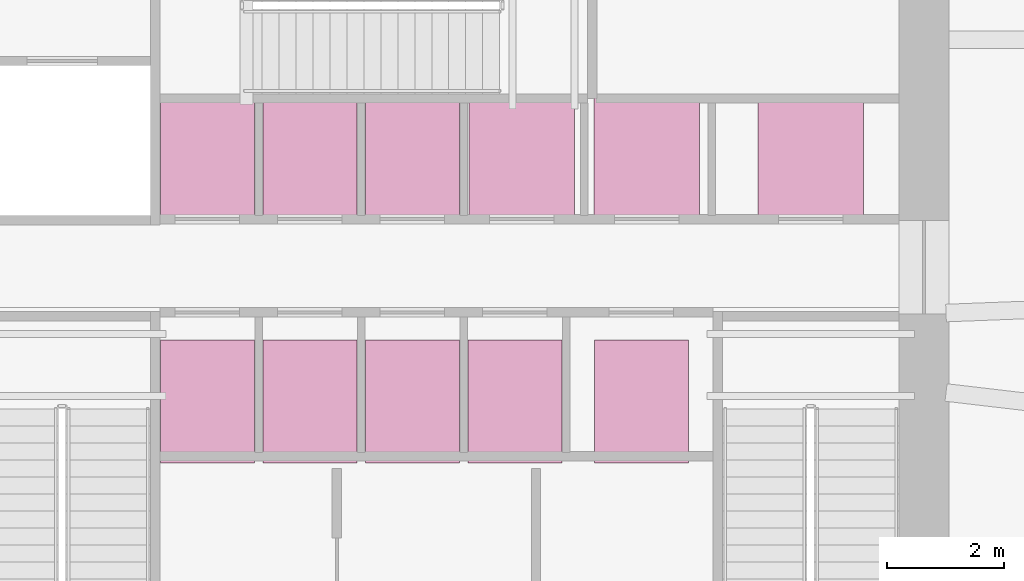
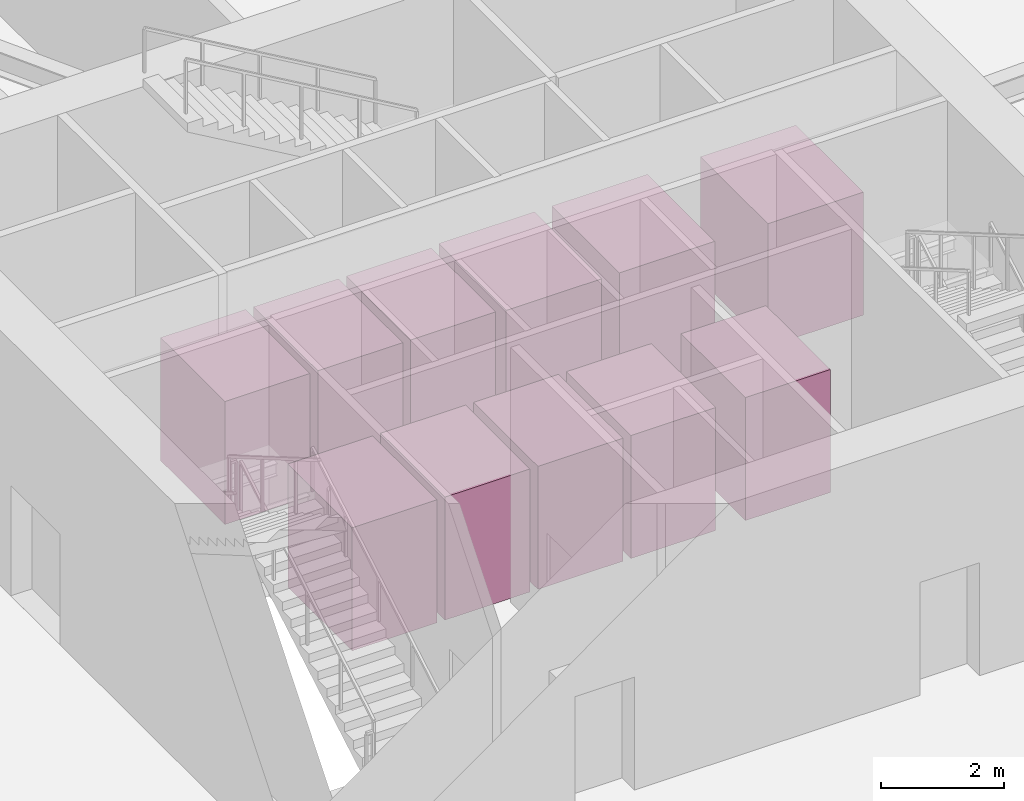
# One storey, part 22 of 22: 11 transport elements.
"""IFC4 building model written with IfcOpenShell, lengths in metres."""

import ifcopenshell
import ifcopenshell.guid

model = None  # the IFC model being written
_history = None  # IfcOwnerHistory: only IFC2X3 demands one
_inside = {}  # id of a spatial element -> (the spatial element, [elements in it])
_under = {}  # id of a project, library or spatial element -> (it, [spatial elements below it])
_declared = {}  # id of a project -> (the project, [libraries it declares])
_typed = {}  # id of a type object -> (the type object, [elements of that type])
_made_of = {}  # id of a material, layer set ... -> (it, [elements and type objects made of it])


def new_model(schema):
    """Start an empty IFC model of exactly this schema.

    Asked for "IFC4X3", IfcOpenShell would pick the latest addendum, in which some entities
    have other attributes; the version numbers below select the first issue.
    IFC2X3 requires an IfcOwnerHistory on every rooted entity: one is made here for all.
    """
    global model, _history
    if schema == "IFC4X3":
        model = ifcopenshell.file(schema_version=(4, 3, 0, 0))
    else:
        model = ifcopenshell.file(schema=schema)
    _inside.clear()
    _under.clear()
    _declared.clear()
    _typed.clear()
    _made_of.clear()
    _history = None
    if model.schema == "IFC2X3":
        org = make("IfcOrganization", Name="unknown")
        user = make(
            "IfcPersonAndOrganization",
            ThePerson=make("IfcPerson", FamilyName="unknown"),
            TheOrganization=org,
        )
        app = make(
            "IfcApplication",
            ApplicationDeveloper=org,
            Version="unknown",
            ApplicationFullName="unknown",
            ApplicationIdentifier="unknown",
        )
        _history = make(
            "IfcOwnerHistory",
            OwningUser=user,
            OwningApplication=app,
            ChangeAction="ADDED",
            CreationDate=0,
        )
    return model


def make(cls, **values):
    """One entity of the class cls with the attributes given. An attribute that is None is left unset."""
    return model.create_entity(
        cls, **{name: value for name, value in values.items() if value is not None}
    )


def rooted(cls, **values):
    """An entity with a GlobalId (a new one), such as an element, a storey or a relation."""
    return make(cls, GlobalId=ifcopenshell.guid.new(), OwnerHistory=_history, **values)


def si_unit(unit_type, name, prefix=None):
    """IfcSIUnit, for example si_unit("LENGTHUNIT", "METRE", prefix="MILLI")."""
    return make("IfcSIUnit", UnitType=unit_type, Prefix=prefix, Name=name)


def assignment(units):
    """IfcUnitAssignment: the units of a project."""
    return None if units is None else make("IfcUnitAssignment", Units=units)


def point(xyz):
    """IfcCartesianPoint."""
    return None if xyz is None else make("IfcCartesianPoint", Coordinates=xyz)


def direction(xyz):
    """IfcDirection."""
    return None if xyz is None else make("IfcDirection", DirectionRatios=xyz)


def frame(location, z_axis=None, x_axis=None):
    """IfcAxis2Placement3D, a coordinate frame: its origin and axes. An axis left out is left unset."""
    return make(
        "IfcAxis2Placement3D",
        Location=point(location),
        Axis=direction(z_axis),
        RefDirection=direction(x_axis),
    )


def frame_2d(location, x_axis=None):
    """IfcAxis2Placement2D, a coordinate frame in the plane: its origin and x axis."""
    return make(
        "IfcAxis2Placement2D", Location=point(location), RefDirection=direction(x_axis)
    )


def origin():
    """The frame at (0, 0, 0) with its axes left unset."""
    return frame((0.0, 0.0, 0.0))


def origin_2d():
    """The frame at (0, 0) in the plane with its x axis left unset."""
    return frame_2d((0.0, 0.0))


def place(relative_to, where):
    """IfcLocalPlacement: puts the frame where relative to a parent placement (None: the world)."""
    return make(
        "IfcLocalPlacement", PlacementRelTo=relative_to, RelativePlacement=where
    )


def context(
    kind, dimensions, precision=None, world=None, true_north=None, identifier=None
):
    """IfcGeometricRepresentationContext, for example the 3D "Model" context."""
    return make(
        "IfcGeometricRepresentationContext",
        ContextIdentifier=identifier,
        ContextType=kind,
        CoordinateSpaceDimension=dimensions,
        Precision=precision,
        WorldCoordinateSystem=world,
        TrueNorth=true_north,
    )


def subcontext(parent, identifier, kind, view, scale=None):
    """IfcGeometricRepresentationSubContext, for example "Body" below "Model"."""
    return make(
        "IfcGeometricRepresentationSubContext",
        ContextIdentifier=identifier,
        ContextType=kind,
        ParentContext=parent,
        TargetScale=scale,
        TargetView=view,
    )


def project(units=None, contexts=None):
    """IfcProject with its units and contexts."""
    return rooted(
        "IfcProject",
        Name="project",
        RepresentationContexts=contexts,
        UnitsInContext=assignment(units),
    )


def spatial(cls, under=None, at=None, **own):
    """A site, building, storey or space (cls), placed at a placement, below another one or the project."""
    s = rooted(cls, ObjectPlacement=at, **own)
    if under is not None:
        _under.setdefault(under.id(), (under, []))[1].append(s)
    return s


def profile(cls, at=None, kind="AREA", **sizes):
    """A parametric profile (cls). Its sizes go by their IFC names, for example OverallWidth=200.0."""
    return make(cls, ProfileType=kind, Position=at, **sizes)


def rectangle(**sizes):
    """IfcRectangleProfileDef."""
    return profile("IfcRectangleProfileDef", **sizes)


def extrude(swept, where, along, depth):
    """IfcExtrudedAreaSolid: the profile swept, set in the frame where, extruded along a direction by depth."""
    return make(
        "IfcExtrudedAreaSolid",
        SweptArea=swept,
        Position=where,
        ExtrudedDirection=direction(along),
        Depth=depth,
    )


def shape(context_of_items, identifier, shape_type, items):
    """IfcShapeRepresentation: the items that make up one representation, for example the "Body"."""
    return make(
        "IfcShapeRepresentation",
        ContextOfItems=context_of_items,
        RepresentationIdentifier=identifier,
        RepresentationType=shape_type,
        Items=items,
    )


def source(mapping_origin, context_of_items, identifier, shape_type, items):
    """IfcRepresentationMap: a shape defined once, which mapped items show again and again."""
    return make(
        "IfcRepresentationMap",
        MappingOrigin=mapping_origin,
        MappedRepresentation=shape(context_of_items, identifier, shape_type, items),
    )


def transform(
    local_origin,
    x_axis=None,
    y_axis=None,
    z_axis=None,
    scale=None,
    scale2=None,
    scale3=None,
    uniform=True,
):
    """IfcCartesianTransformationOperator3D, or its non-uniform kind. x_axis, y_axis, z_axis: its Axis1, 2, 3."""
    if uniform:
        return make(
            "IfcCartesianTransformationOperator3D",
            Axis1=direction(x_axis),
            Axis2=direction(y_axis),
            LocalOrigin=point(local_origin),
            Scale=scale,
            Axis3=direction(z_axis),
        )
    return make(
        "IfcCartesianTransformationOperator3DnonUniform",
        Axis1=direction(x_axis),
        Axis2=direction(y_axis),
        LocalOrigin=point(local_origin),
        Scale=scale,
        Axis3=direction(z_axis),
        Scale2=scale2,
        Scale3=scale3,
    )


def mapped(mapping_source, mapping_target):
    """IfcMappedItem: shows the shape of a source again, moved by a transform."""
    return make(
        "IfcMappedItem", MappingSource=mapping_source, MappingTarget=mapping_target
    )


def material(Name=None, Category=None):
    """IfcMaterial."""
    return make("IfcMaterial", Name=Name, Category=Category)


def made_of(thing, what):
    """Note that an element or type object is made of a material, layer set ...; save() writes the relation."""
    if what is not None:
        _made_of.setdefault(what.id(), (what, []))[1].append(thing)
    return thing


def type_object(cls, material=None, **own):
    """A type object (cls), such as IfcWallType, which elements share."""
    return made_of(rooted(cls, **own), material)


def element(
    cls,
    number,
    at=None,
    inside=None,
    cuts=None,
    type_object=None,
    material=None,
    context=None,
    identifier="Body",
    shape_type=None,
    held_by="IfcProductDefinitionShape",
    body=None,
    shapes=None,
    **own,
):
    """One element of the class cls, such as IfcWall. Its Tag is "e" and its number.

    at: its placement. inside: the storey or other place that contains it. cuts: it is an
    opening in that element (IfcRelVoidsElement). A single representation is given by context,
    identifier, shape_type and body (its items); several are given by shapes. held_by: the class
    of the entity that holds the representations. save() writes the other relations.
    """
    e = rooted(cls, Tag="e%d" % number, ObjectPlacement=at, **own)
    if body is not None:
        shapes = [shape(context, identifier, shape_type, body)]
    if shapes is not None:
        e.Representation = make(held_by, Representations=shapes)
    if inside is not None:
        _inside.setdefault(inside.id(), (inside, []))[1].append(e)
    if cuts is not None:
        rooted(
            "IfcRelVoidsElement", RelatingBuildingElement=cuts, RelatedOpeningElement=e
        )
    if type_object is not None:
        _typed.setdefault(type_object.id(), (type_object, []))[1].append(e)
    return made_of(e, material)


def aggregate(whole, parts):
    """IfcRelAggregates: a whole, such as a stair, and the parts it consists of."""
    return rooted("IfcRelAggregates", RelatingObject=whole, RelatedObjects=parts)


def save(model, path):
    """Write the relations noted so far, then the file.

    IfcRelAggregates (storeys below a building ...), IfcRelContainedInSpatialStructure (elements
    in a storey), IfcRelDefinesByType, IfcRelAssociatesMaterial and IfcRelDeclares: one each for
    every whole, place, type object, material and project.
    """
    for whole, parts in _under.values():
        aggregate(whole, parts)
    for where, things in _inside.values():
        rooted(
            "IfcRelContainedInSpatialStructure",
            RelatedElements=things,
            RelatingStructure=where,
        )
    for kind, things in _typed.values():
        rooted("IfcRelDefinesByType", RelatedObjects=things, RelatingType=kind)
    for what, things in _made_of.values():
        rooted("IfcRelAssociatesMaterial", RelatedObjects=things, RelatingMaterial=what)
    for by, libraries in _declared.values():
        rooted("IfcRelDeclares", RelatingContext=by, RelatedDefinitions=libraries)
    model.write(path)


model = new_model("IFC4")

# Units and contexts
model_context = context("Model", 3, precision=1e-05, world=origin(), true_north=direction((0.0, 1.0)))
body_context = subcontext(model_context, "Body", "Model", "MODEL_VIEW")
ifc_project = project(units=[si_unit("LENGTHUNIT", "METRE"), si_unit("AREAUNIT", "SQUARE_METRE"), si_unit("VOLUMEUNIT", "CUBIC_METRE"), si_unit("PLANEANGLEUNIT", "RADIAN"), si_unit("MASSUNIT", "GRAM", prefix="KILO")], contexts=[model_context])

# Site, building, storey
site_placement = place(None, origin())
site = spatial("IfcSite", under=ifc_project, at=site_placement, CompositionType="ELEMENT")
building_placement = place(site_placement, origin())
building = spatial("IfcBuilding", under=site, at=building_placement, Name="Olszyna Solenne Hotel", CompositionType="ELEMENT")
storey_placement = place(building_placement, origin())
storey = spatial("IfcBuildingStorey", under=building, at=storey_placement, Name="L00", CompositionType="ELEMENT", Elevation=0.0)

# Transport elements
ifc_material = material(Name="Steel S355J2", Category="steel")
transport_element_type_1 = type_object("IfcTransportElementType", Name="LFT-PL-LOW", PredefinedType="ELEVATOR", material=ifc_material)
shared_shape_1 = source(origin(), body_context, "Body", "SweptSolid", [
    extrude(rectangle(XDim=1.60009765625, YDim=2.10009765625, at=origin_2d()), origin(), (0.0, 0.0, 1.0), 2.449951171875),
])
for number, where, z_axis, x_axis, name in (
    (1, (34.090087890625, 25.429931640625, 0.0), (0.0, 0.0, 1.0), (1.0, 0.0, 0.0), "Passenger lift PL1"),
    (2, (35.840087890625, 25.429931640625, 0.0), (0.0, 0.0, 1.0), (1.0, 0.0, 0.0), "Passenger lift PL2"),
    (3, (37.590087890625, 25.429931640625, 0.0), (0.0, 0.0, 1.0), (1.0, 0.0, 0.0), "Passenger lift PL3"),
    (4, (39.340087890625, 25.429931640625, 0.0), (0.0, 0.0, 1.0), (1.0, 0.0, 0.0), "Passenger lift PL4"),
):
    element("IfcTransportElement", number, at=place(storey_placement, frame(where, z_axis=z_axis, x_axis=x_axis)), inside=storey, type_object=transport_element_type_1, Name=name, PredefinedType="ELEVATOR", context=body_context, shape_type="MappedRepresentation", body=[
        mapped(shared_shape_1, transform((0.0, 0.0, 0.0), x_axis=(1.0, 0.0, 0.0), y_axis=(0.0, 1.0, 0.0), z_axis=(0.0, 0.0, 1.0), scale=1.0)),
    ])
transport_element_type_2 = type_object("IfcTransportElementType", Name="LFT-PL-HIGH", PredefinedType="ELEVATOR", material=ifc_material)
for number, where, z_axis, x_axis, name in (
    (5, (41.5, 25.429931640625, 0.0), (0.0, 0.0, 1.0), (1.0, 0.0, 0.0), "Passenger lift PL5"),
    (6, (34.090087890625, 29.580078125, 0.0), (0.0, 0.0, 1.0), (1.0, 0.0, 0.0), "Passenger lift PL6"),
    (7, (35.840087890625, 29.580078125, 0.0), (0.0, 0.0, 1.0), (1.0, 0.0, 0.0), "Passenger lift PL7"),
    (8, (37.590087890625, 29.580078125, 0.0), (0.0, 0.0, 1.0), (1.0, 0.0, 0.0), "Passenger lift PL8"),
):
    element("IfcTransportElement", number, at=place(storey_placement, frame(where, z_axis=z_axis, x_axis=x_axis)), inside=storey, type_object=transport_element_type_2, Name=name, PredefinedType="ELEVATOR", context=body_context, shape_type="MappedRepresentation", body=[
        mapped(shared_shape_1, transform((0.0, 0.0, 0.0), x_axis=(1.0, 0.0, 0.0), y_axis=(0.0, 1.0, 0.0), z_axis=(0.0, 0.0, 1.0), scale=1.0)),
    ])
transport_element_type_3 = type_object("IfcTransportElementType", Name="LFT-EX-OBS", PredefinedType="ELEVATOR", material=ifc_material)
shared_shape_2 = source(origin(), body_context, "Body", "SweptSolid", [
    extrude(rectangle(XDim=1.800048828125, YDim=2.199951171875, at=origin_2d()), origin(), (0.0, 0.0, 1.0), 2.449951171875),
])
for number, where, z_axis, x_axis, name in (
    (9, (39.4599609375, 29.580078125, 0.0), (0.0, 0.0, 1.0), (1.0, 0.0, 0.0), "Passenger lift EX1"),
    (10, (41.590087890625, 29.580078125, 0.0), (0.0, 0.0, 1.0), (1.0, 0.0, 0.0), "Passenger lift EX2"),
    (11, (44.389892578125, 29.580078125, 0.0), (0.0, 0.0, 1.0), (1.0, 0.0, 0.0), "Passenger lift EX3"),
):
    element("IfcTransportElement", number, at=place(storey_placement, frame(where, z_axis=z_axis, x_axis=x_axis)), inside=storey, type_object=transport_element_type_3, Name=name, PredefinedType="ELEVATOR", context=body_context, shape_type="MappedRepresentation", body=[
        mapped(shared_shape_2, transform((0.0, 0.0, 0.0), x_axis=(1.0, 0.0, 0.0), y_axis=(0.0, 1.0, 0.0), z_axis=(0.0, 0.0, 1.0), scale=1.0)),
    ])

save(model, "model.ifc")
